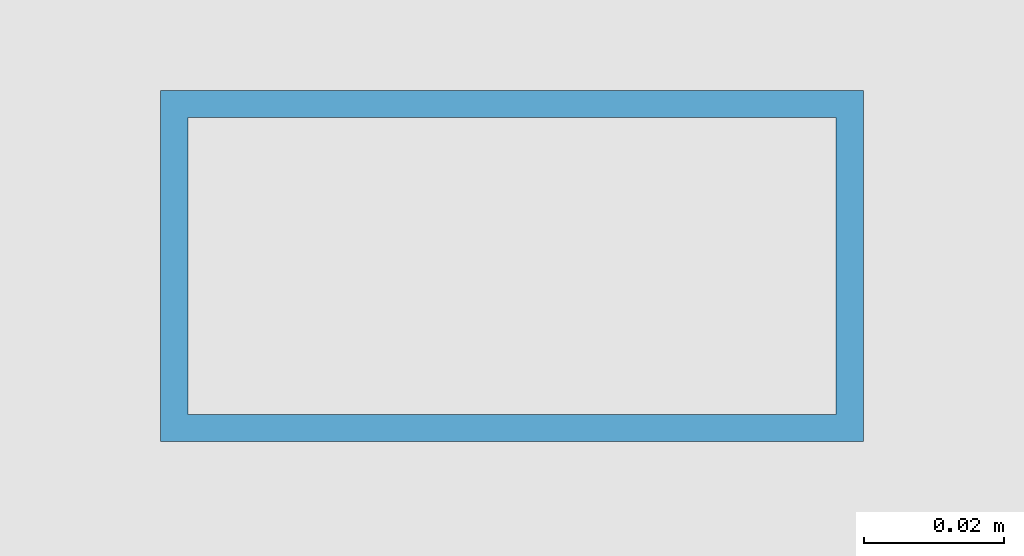
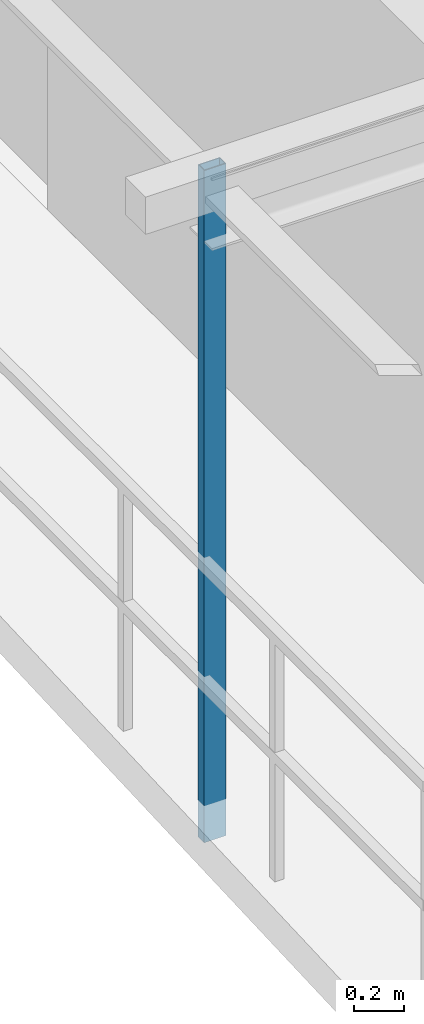
# One storey, part 3 of 16: 1 member.
"""IFC4 building model written with IfcOpenShell, lengths in metres."""

from ifc_helpers import new_model, si_unit, direction, frame, origin, origin_2d, place, context, subcontext, project, spatial, hollow_rectangle, extrude, source, transform, mapped, material, material_profile, profile_set, type_object, element, save


model = new_model("IFC4")

# Units and contexts
model_context = context("Model", 3, precision=1e-05, world=origin(), true_north=direction((0.0, 1.0)))
body_context = subcontext(model_context, "Body", "Model", "MODEL_VIEW")
ifc_project = project(units=[si_unit("LENGTHUNIT", "METRE"), si_unit("AREAUNIT", "SQUARE_METRE"), si_unit("VOLUMEUNIT", "CUBIC_METRE"), si_unit("PLANEANGLEUNIT", "RADIAN"), si_unit("MASSUNIT", "GRAM", prefix="KILO"), si_unit("THERMODYNAMICTEMPERATUREUNIT", "KELVIN"), si_unit("POWERUNIT", "WATT")], contexts=[model_context])

# Site, building, storey
site_placement = place(None, origin())
site = spatial("IfcSite", under=ifc_project, at=site_placement, CompositionType="ELEMENT")
building_placement = place(site_placement, origin())
building = spatial("IfcBuilding", under=site, at=building_placement, Name="Qiaomeng Ring Towers", CompositionType="ELEMENT")
storey_placement = place(building_placement, frame((0.0, 0.0, 197.0)))
storey = spatial("IfcBuildingStorey", under=building, at=storey_placement, Name="L57", CompositionType="ELEMENT", Elevation=197.0)

# Member
ifc_material = material(Name="Stainless steel 316", Category="steel")
ifc_material_profile = material_profile(ifc_material, hollow_rectangle(XDim=0.050048828125, YDim=0.10009765625, WallThickness=0.00390625, at=origin_2d()), Name="SS TRELLIS 100x50")
ifc_profile_set = profile_set([ifc_material_profile], Name="Stainless steel 316")
member_type = type_object("IfcMemberType", Name="ARC-TR-POST2", PredefinedType="STUD", material=ifc_profile_set)
shared_shape = source(origin(), body_context, "Body", "SweptSolid", [
    extrude(hollow_rectangle(XDim=0.050048828125, YDim=0.10009765625, WallThickness=0.00390625, at=origin_2d()), origin(), (0.0, 0.0, 1.0), 3.25),
])
member_placement = place(storey_placement, frame((0.72998046875, 20.0, -0.179931640625), z_axis=(0.0, 0.0, 1.0), x_axis=(0.0, 1.0, 0.0)))
element("IfcMember", 1, at=member_placement, inside=storey, type_object=member_type, Name="L57 Outer Ventilated Trellis Post W", PredefinedType="STUD", context=body_context, shape_type="MappedRepresentation", body=[
    mapped(shared_shape, transform((0.0, 0.0, 0.0), x_axis=(1.0, 0.0, 0.0), y_axis=(0.0, 1.0, 0.0), z_axis=(0.0, 0.0, 1.0), scale=1.0)),
])

save(model, "model.ifc")
